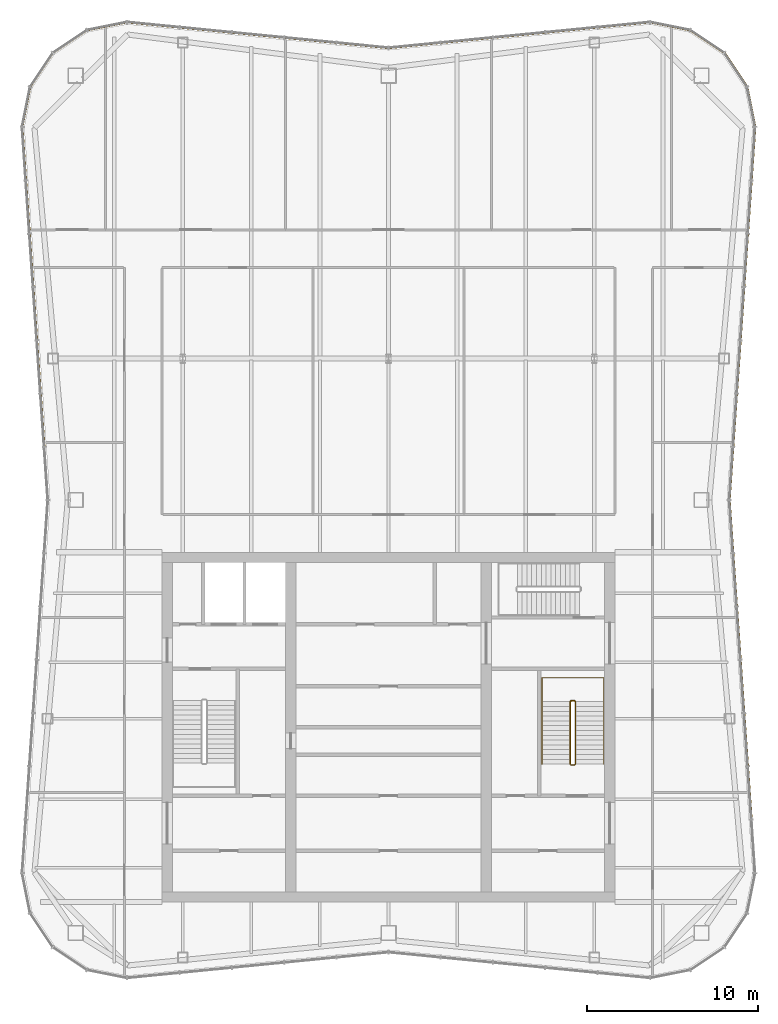
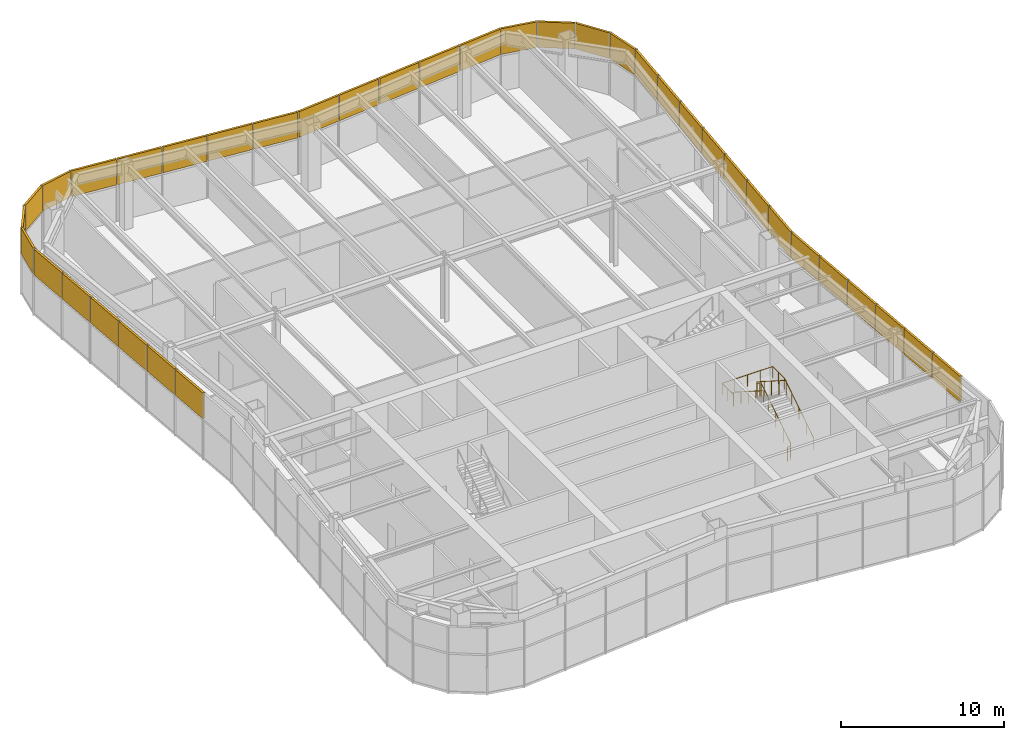
# One storey, part 13 of 13: 37 shading devices, 2 railings, 5 elements without a shape of their own.
"""IFC4 building model written with IfcOpenShell, lengths in metres."""

from ifc_helpers import new_model, si_unit, direction, frame, origin, origin_2d, place, context, subcontext, project, spatial, rectangle, circle, extrude, material, layer, layer_set, type_object, element, aggregate, save


model = new_model("IFC4")

# Units and contexts
model_context = context("Model", 3, precision=1e-05, world=origin(), true_north=direction((0.0, 1.0)))
body_context = subcontext(model_context, "Body", "Model", "MODEL_VIEW")
ifc_project = project(units=[si_unit("LENGTHUNIT", "METRE"), si_unit("AREAUNIT", "SQUARE_METRE"), si_unit("VOLUMEUNIT", "CUBIC_METRE"), si_unit("PLANEANGLEUNIT", "RADIAN"), si_unit("MASSUNIT", "GRAM", prefix="KILO")], contexts=[model_context])

# Site, building, storey
site_placement = place(None, origin())
site = spatial("IfcSite", under=ifc_project, at=site_placement, CompositionType="ELEMENT")
building_placement = place(site_placement, origin())
building = spatial("IfcBuilding", under=site, at=building_placement, Name="Verdant Reach Tower", CompositionType="ELEMENT")
storey_placement = place(building_placement, frame((0.0, 0.0, 354.5)))
storey = spatial("IfcBuildingStorey", under=building, at=storey_placement, Name="L80 Plant", CompositionType="ELEMENT", Elevation=354.5)

# Railings
ifc_material_1 = material(Name="Stainless steel", Category="steel")
railing_type_1 = type_object("IfcRailingType", Name="CO-GUARD", PredefinedType="GUARDRAIL", material=ifc_material_1)
railing_1_placement = place(storey_placement, frame((10.64990234375, 25.800048828125, 0.0)))
element("IfcRailing", 1, at=railing_1_placement, inside=storey, type_object=railing_type_1, Name="L80 Plant ST-2 stair guard 1", PredefinedType="GUARDRAIL", context=body_context, shape_type="SweptSolid", body=[
    extrude(circle(Radius=0.02392578125, at=origin_2d()), frame((0.0, 0.0, 1.076171875), z_axis=(1.0, 0.0, 0.0), x_axis=(0.0, 1.0, 0.0)), (0.0, 0.0, 1.0), 0.2001953125),
    extrude(circle(Radius=0.02392578125, at=origin_2d()), frame((0.2001953125, 0.0, 1.076171875), z_axis=(0.25949872427, 0.26077077684, 0.929870428634), x_axis=(-0.708833529934, 0.705375805398, 0.0)), (0.0, 0.0, 1.0), 0.19189453125),
    extrude(circle(Radius=0.02392578125, at=origin_2d()), frame((0.25, 0.050048828125, 1.25439453125), z_axis=(0.0, 0.843111507901, 0.53773877045), x_axis=(-1.0, 0.0, 0.0)), (0.0, 0.0, 1.0), 4.317138671875),
    extrude(circle(Radius=0.02392578125, at=origin_2d()), frame((0.25, 3.68994140625, 3.576171875), z_axis=(-0.705375805398, 0.708833529934, 0.0), x_axis=(-0.708833529934, -0.705375805398, 0.0)), (0.0, 0.0, 1.0), 0.070556640625),
    extrude(circle(Radius=0.02392578125, at=origin_2d()), frame((0.2001953125, 3.739990234375, 3.576171875), z_axis=(-1.0, 0.0, 0.0), x_axis=(0.0, -1.0, 0.0)), (0.0, 0.0, 1.0), 0.2001953125),
    extrude(circle(Radius=0.02392578125, at=origin_2d()), frame((0.0, 3.739990234375, 3.576171875), z_axis=(-0.25949872427, -0.26077077684, 0.929870428634), x_axis=(0.708833529934, -0.705375805398, 0.0)), (0.0, 0.0, 1.0), 0.19189453125),
    extrude(circle(Radius=0.02392578125, at=origin_2d()), frame((-0.0498046875, 3.68994140625, 3.75439453125), z_axis=(0.0, -0.843111507901, 0.53773877045), x_axis=(1.0, 0.0, 0.0)), (0.0, 0.0, 1.0), 4.317138671875),
    extrude(circle(Radius=0.02099609375, at=origin_2d()), origin(), (0.0, 0.0, 1.0), 1.052001953125),
    extrude(circle(Radius=0.02099609375, at=origin_2d()), frame((0.2001953125, 0.0, 0.0)), (0.0, 0.0, 1.0), 1.052001953125),
    extrude(circle(Radius=0.02099609375, at=origin_2d()), frame((0.25, 0.050048828125, 0.178466796875)), (0.0, 0.0, 1.0), 1.052001953125),
    extrude(circle(Radius=0.02099609375, at=origin_2d()), frame((0.25, 0.9599609375, 0.7587890625)), (0.0, 0.0, 1.0), 1.052001953125),
    extrude(circle(Radius=0.02099609375, at=origin_2d()), frame((0.25, 1.8701171875, 1.33935546875)), (0.0, 0.0, 1.0), 1.052001953125),
    extrude(circle(Radius=0.02099609375, at=origin_2d()), frame((0.25, 2.780029296875, 1.919677734375)), (0.0, 0.0, 1.0), 1.052001953125),
    extrude(circle(Radius=0.02099609375, at=origin_2d()), frame((0.25, 3.68994140625, 2.5)), (0.0, 0.0, 1.0), 1.052001953125),
    extrude(circle(Radius=0.02099609375, at=origin_2d()), frame((0.2001953125, 3.739990234375, 2.5)), (0.0, 0.0, 1.0), 1.052001953125),
    extrude(circle(Radius=0.02099609375, at=origin_2d()), frame((0.0, 3.739990234375, 2.5)), (0.0, 0.0, 1.0), 1.052001953125),
    extrude(circle(Radius=0.02099609375, at=origin_2d()), frame((-0.0498046875, 3.68994140625, 2.678466796875)), (0.0, 0.0, 1.0), 1.052001953125),
    extrude(circle(Radius=0.02099609375, at=origin_2d()), frame((-0.0498046875, 2.780029296875, 3.2587890625)), (0.0, 0.0, 1.0), 1.052001953125),
    extrude(circle(Radius=0.02099609375, at=origin_2d()), frame((-0.0498046875, 1.8701171875, 3.83935546875)), (0.0, 0.0, 1.0), 1.052001953125),
    extrude(circle(Radius=0.02099609375, at=origin_2d()), frame((-0.0498046875, 0.9599609375, 4.419677734375)), (0.0, 0.0, 1.0), 1.052001953125),
    extrude(circle(Radius=0.02099609375, at=origin_2d()), frame((-0.0498046875, 0.050048828125, 5.0)), (0.0, 0.0, 1.0), 1.052001953125),
])
railing_type_2 = type_object("IfcRailingType", Name="CO-HANDRAIL", PredefinedType="HANDRAIL", material=ifc_material_1)
railing_2_placement = place(storey_placement, frame((12.550048828125, 25.85009765625, 0.178466796875)))
element("IfcRailing", 2, at=railing_2_placement, inside=storey, type_object=railing_type_2, Name="L80 Plant ST-2 stair handrail 1", PredefinedType="HANDRAIL", context=body_context, shape_type="SweptSolid", body=[
    extrude(circle(Radius=0.02392578125, at=origin_2d()), frame((0.0, 0.0, 0.8759765625), z_axis=(0.0, 0.843111507901, 0.53773877045), x_axis=(-1.0, 0.0, 0.0)), (0.0, 0.0, 1.0), 4.317138671875),
    extrude(circle(Radius=0.02392578125, at=origin_2d()), frame((0.0, 3.639892578125, 3.197265625), z_axis=(0.0, 1.0, 0.0), x_axis=(-1.0, 0.0, 0.0)), (0.0, 0.0, 1.0), 1.39990234375),
    extrude(circle(Radius=0.02392578125, at=origin_2d()), frame((0.0, 5.039794921875, 3.197265625), z_axis=(-1.0, 0.0, 0.0), x_axis=(0.0, -1.0, 0.0)), (0.0, 0.0, 1.0), 3.60009765625),
    extrude(circle(Radius=0.02392578125, at=origin_2d()), frame((-3.60009765625, 5.039794921875, 3.197265625), z_axis=(0.0, -1.0, 0.0), x_axis=(1.0, 0.0, 0.0)), (0.0, 0.0, 1.0), 1.39990234375),
    extrude(circle(Radius=0.02392578125, at=origin_2d()), frame((-3.60009765625, 3.639892578125, 3.197265625), z_axis=(0.0, 0.0, 1.0), x_axis=(1.0, 0.0, 0.0)), (0.0, 0.0, 1.0), 0.178466796875),
    extrude(circle(Radius=0.02392578125, at=origin_2d()), frame((-3.60009765625, 3.639892578125, 3.3759765625), z_axis=(0.0, -0.843111507901, 0.53773877045), x_axis=(1.0, 0.0, 0.0)), (0.0, 0.0, 1.0), 4.317138671875),
    extrude(circle(Radius=0.02099609375, at=origin_2d()), origin(), (0.0, 0.0, 1.0), 0.851806640625),
    extrude(circle(Radius=0.02099609375, at=origin_2d()), frame((0.0, 0.909912109375, 0.580322265625)), (0.0, 0.0, 1.0), 0.851806640625),
    extrude(circle(Radius=0.02099609375, at=origin_2d()), frame((0.0, 1.81982421875, 1.16064453125)), (0.0, 0.0, 1.0), 0.851806640625),
    extrude(circle(Radius=0.02099609375, at=origin_2d()), frame((0.0, 2.72998046875, 1.7412109375)), (0.0, 0.0, 1.0), 0.851806640625),
    extrude(circle(Radius=0.02099609375, at=origin_2d()), frame((0.0, 3.639892578125, 2.321533203125)), (0.0, 0.0, 1.0), 0.851806640625),
    extrude(circle(Radius=0.02099609375, at=origin_2d()), frame((0.0, 4.33984375, 2.321533203125)), (0.0, 0.0, 1.0), 0.851806640625),
    extrude(circle(Radius=0.02099609375, at=origin_2d()), frame((0.0, 5.039794921875, 2.321533203125)), (0.0, 0.0, 1.0), 0.851806640625),
    extrude(circle(Radius=0.02099609375, at=origin_2d()), frame((-0.89990234375, 5.039794921875, 2.321533203125)), (0.0, 0.0, 1.0), 0.851806640625),
    extrude(circle(Radius=0.02099609375, at=origin_2d()), frame((-1.800048828125, 5.039794921875, 2.321533203125)), (0.0, 0.0, 1.0), 0.851806640625),
    extrude(circle(Radius=0.02099609375, at=origin_2d()), frame((-2.7001953125, 5.039794921875, 2.321533203125)), (0.0, 0.0, 1.0), 0.851806640625),
    extrude(circle(Radius=0.02099609375, at=origin_2d()), frame((-3.60009765625, 5.039794921875, 2.321533203125)), (0.0, 0.0, 1.0), 0.851806640625),
    extrude(circle(Radius=0.02099609375, at=origin_2d()), frame((-3.60009765625, 4.33984375, 2.321533203125)), (0.0, 0.0, 1.0), 0.851806640625),
    extrude(circle(Radius=0.02099609375, at=origin_2d()), frame((-3.60009765625, 3.639892578125, 2.321533203125)), (0.0, 0.0, 1.0), 0.851806640625),
    extrude(circle(Radius=0.02099609375, at=origin_2d()), frame((-3.60009765625, 3.639892578125, 2.5)), (0.0, 0.0, 1.0), 0.851806640625),
    extrude(circle(Radius=0.02099609375, at=origin_2d()), frame((-3.60009765625, 2.72998046875, 3.080322265625)), (0.0, 0.0, 1.0), 0.851806640625),
    extrude(circle(Radius=0.02099609375, at=origin_2d()), frame((-3.60009765625, 1.81982421875, 3.66064453125)), (0.0, 0.0, 1.0), 0.851806640625),
    extrude(circle(Radius=0.02099609375, at=origin_2d()), frame((-3.60009765625, 0.909912109375, 4.2412109375)), (0.0, 0.0, 1.0), 0.851806640625),
    extrude(circle(Radius=0.02099609375, at=origin_2d()), frame((-3.60009765625, 0.0, 4.821533203125)), (0.0, 0.0, 1.0), 0.851806640625),
])

# Curtain wall, shading devices
ifc_material_2 = material(Name="Anodised aluminium", Category="aluminium")
curtain_wall_type = type_object("IfcCurtainWallType", Name="EN-CW SYSTEM PLANT", PredefinedType="NOTDEFINED", material=ifc_material_2)
curtain_wall_1_placement = place(storey_placement, origin())
curtain_wall_1 = element("IfcCurtainWall", 3, at=curtain_wall_1_placement, inside=storey, type_object=curtain_wall_type, Name="Curtain wall east, L80", PredefinedType="NOTDEFINED")
ifc_material_3 = material(Name="Bronze anodised aluminium louvre", Category="aluminium")
ifc_layer = layer(ifc_material_3, 0.14990234375)
ifc_layer_set = layer_set([ifc_layer], Name="EN-LOUVRE")
shading_device_type = type_object("IfcShadingDeviceType", Name="EN-LOUVRE", PredefinedType="USERDEFINED", material=ifc_layer_set)
shading_device_1_placement = place(storey_placement, frame((21.04736328125, 24.1689453125, 2.72509765625), z_axis=(0.0, 0.0, 1.0), x_axis=(-0.068802091615, 0.997630328423, 0.0)))
shading_device_1 = element("IfcShadingDevice", 4, at=shading_device_1_placement, type_object=shading_device_type, Name="Louvre bank east face part 1 2, L80", ObjectType="LOUVRE", PredefinedType="USERDEFINED", context=body_context, shape_type="SweptSolid", body=[
    extrude(rectangle(XDim=3.03857421875, YDim=0.14990234375, at=origin_2d()), origin(), (0.0, 0.0, 1.0), 1.925048828125),
])
shading_device_2_placement = place(storey_placement, frame((20.8330078125, 27.276123046875, 2.72509765625), z_axis=(0.0, 0.0, 1.0), x_axis=(-0.068802091615, 0.997630328423, 0.0)))
shading_device_2 = element("IfcShadingDevice", 5, at=shading_device_2_placement, type_object=shading_device_type, Name="Louvre bank east face part 1 3, L80", ObjectType="LOUVRE", PredefinedType="USERDEFINED", context=body_context, shape_type="SweptSolid", body=[
    extrude(rectangle(XDim=3.03857421875, YDim=0.14990234375, at=origin_2d()), origin(), (0.0, 0.0, 1.0), 1.925048828125),
])
shading_device_3_placement = place(storey_placement, frame((20.61865234375, 30.38330078125, 2.72509765625), z_axis=(0.0, 0.0, 1.0), x_axis=(-0.068802091615, 0.997630328423, 0.0)))
shading_device_3 = element("IfcShadingDevice", 6, at=shading_device_3_placement, type_object=shading_device_type, Name="Louvre bank east face part 1 4, L80", ObjectType="LOUVRE", PredefinedType="USERDEFINED", context=body_context, shape_type="SweptSolid", body=[
    extrude(rectangle(XDim=3.03857421875, YDim=0.14990234375, at=origin_2d()), origin(), (0.0, 0.0, 1.0), 1.925048828125),
])
shading_device_4_placement = place(storey_placement, frame((20.404541015625, 33.490234375, 2.72509765625), z_axis=(0.0, 0.0, 1.0), x_axis=(-0.068802091615, 0.997630328423, 0.0)))
shading_device_4 = element("IfcShadingDevice", 7, at=shading_device_4_placement, type_object=shading_device_type, Name="Louvre bank east face part 1 5, L80", ObjectType="LOUVRE", PredefinedType="USERDEFINED", context=body_context, shape_type="SweptSolid", body=[
    extrude(rectangle(XDim=3.03857421875, YDim=0.14990234375, at=origin_2d()), origin(), (0.0, 0.0, 1.0), 1.925048828125),
])
shading_device_5_placement = place(storey_placement, frame((20.190185546875, 36.597412109375, 2.72509765625), z_axis=(0.0, 0.0, 1.0), x_axis=(-0.068802091615, 0.997630328423, 0.0)))
shading_device_5 = element("IfcShadingDevice", 8, at=shading_device_5_placement, type_object=shading_device_type, Name="Louvre bank east face part 1 6, L80", ObjectType="LOUVRE", PredefinedType="USERDEFINED", context=body_context, shape_type="SweptSolid", body=[
    extrude(rectangle(XDim=3.03857421875, YDim=0.14990234375, at=origin_2d()), origin(), (0.0, 0.0, 1.0), 1.925048828125),
])
shading_device_6_placement = place(storey_placement, frame((19.97607421875, 39.700439453125, 2.72509765625), z_axis=(0.0, 0.0, 1.0), x_axis=(-0.068892655483, 0.997624078509, 0.0)))
shading_device_6 = element("IfcShadingDevice", 9, at=shading_device_6_placement, type_object=shading_device_type, Name="Louvre bank east face part 1 7, L80", ObjectType="LOUVRE", PredefinedType="USERDEFINED", context=body_context, shape_type="SweptSolid", body=[
    extrude(rectangle(XDim=3.0302734375, YDim=0.14990234375, at=origin_2d()), origin(), (0.0, 0.0, 1.0), 1.925048828125),
])
shading_device_7_placement = place(storey_placement, frame((19.97607421875, 42.799560546875, 2.72509765625), z_axis=(0.0, 0.0, 1.0), x_axis=(0.068892655483, 0.997624078509, 0.0)))
shading_device_7 = element("IfcShadingDevice", 10, at=shading_device_7_placement, type_object=shading_device_type, Name="Louvre bank east face part 2 1, L80", ObjectType="LOUVRE", PredefinedType="USERDEFINED", context=body_context, shape_type="SweptSolid", body=[
    extrude(rectangle(XDim=3.0302734375, YDim=0.14990234375, at=origin_2d()), origin(), (0.0, 0.0, 1.0), 1.925048828125),
])
shading_device_8_placement = place(storey_placement, frame((20.190185546875, 45.902587890625, 2.72509765625), z_axis=(0.0, 0.0, 1.0), x_axis=(0.068802091615, 0.997630328423, 0.0)))
shading_device_8 = element("IfcShadingDevice", 11, at=shading_device_8_placement, type_object=shading_device_type, Name="Louvre bank east face part 2 2, L80", ObjectType="LOUVRE", PredefinedType="USERDEFINED", context=body_context, shape_type="SweptSolid", body=[
    extrude(rectangle(XDim=3.03857421875, YDim=0.14990234375, at=origin_2d()), origin(), (0.0, 0.0, 1.0), 1.925048828125),
])
shading_device_9_placement = place(storey_placement, frame((20.404541015625, 49.009765625, 2.72509765625), z_axis=(0.0, 0.0, 1.0), x_axis=(0.068802091615, 0.997630328423, 0.0)))
shading_device_9 = element("IfcShadingDevice", 12, at=shading_device_9_placement, type_object=shading_device_type, Name="Louvre bank east face part 2 3, L80", ObjectType="LOUVRE", PredefinedType="USERDEFINED", context=body_context, shape_type="SweptSolid", body=[
    extrude(rectangle(XDim=3.03857421875, YDim=0.14990234375, at=origin_2d()), origin(), (0.0, 0.0, 1.0), 1.925048828125),
])
shading_device_10_placement = place(storey_placement, frame((20.61865234375, 52.11669921875, 2.72509765625), z_axis=(0.0, 0.0, 1.0), x_axis=(0.068802091615, 0.997630328423, 0.0)))
shading_device_10 = element("IfcShadingDevice", 13, at=shading_device_10_placement, type_object=shading_device_type, Name="Louvre bank east face part 2 4, L80", ObjectType="LOUVRE", PredefinedType="USERDEFINED", context=body_context, shape_type="SweptSolid", body=[
    extrude(rectangle(XDim=3.03857421875, YDim=0.14990234375, at=origin_2d()), origin(), (0.0, 0.0, 1.0), 1.925048828125),
])
shading_device_11_placement = place(storey_placement, frame((20.8330078125, 55.223876953125, 2.72509765625), z_axis=(0.0, 0.0, 1.0), x_axis=(0.068802091615, 0.997630328423, 0.0)))
shading_device_11 = element("IfcShadingDevice", 14, at=shading_device_11_placement, type_object=shading_device_type, Name="Louvre bank east face part 2 5, L80", ObjectType="LOUVRE", PredefinedType="USERDEFINED", context=body_context, shape_type="SweptSolid", body=[
    extrude(rectangle(XDim=3.03857421875, YDim=0.14990234375, at=origin_2d()), origin(), (0.0, 0.0, 1.0), 1.925048828125),
])
shading_device_12_placement = place(storey_placement, frame((21.04736328125, 58.3310546875, 2.72509765625), z_axis=(0.0, 0.0, 1.0), x_axis=(0.068802091615, 0.997630328423, 0.0)))
shading_device_12 = element("IfcShadingDevice", 15, at=shading_device_12_placement, type_object=shading_device_type, Name="Louvre bank east face part 2 6, L80", ObjectType="LOUVRE", PredefinedType="USERDEFINED", context=body_context, shape_type="SweptSolid", body=[
    extrude(rectangle(XDim=3.03857421875, YDim=0.14990234375, at=origin_2d()), origin(), (0.0, 0.0, 1.0), 1.925048828125),
])
shading_device_13_placement = place(storey_placement, frame((21.261474609375, 61.446044921875, 2.72509765625), z_axis=(0.0, 0.0, 1.0), x_axis=(0.068469163133, 0.997653233193, 0.0)))
shading_device_13 = element("IfcShadingDevice", 16, at=shading_device_13_placement, type_object=shading_device_type, Name="Louvre bank east face part 2 7, L80", ObjectType="LOUVRE", PredefinedType="USERDEFINED", context=body_context, shape_type="SweptSolid", body=[
    extrude(rectangle(XDim=3.05419921875, YDim=0.14990234375, at=origin_2d()), origin(), (0.0, 0.0, 1.0), 1.925048828125),
])
aggregate(curtain_wall_1, [shading_device_1, shading_device_2, shading_device_3, shading_device_4, shading_device_5, shading_device_6, shading_device_7, shading_device_8, shading_device_9, shading_device_10, shading_device_11, shading_device_12, shading_device_13])

curtain_wall_2_placement = place(storey_placement, origin())
curtain_wall_2 = element("IfcCurtainWall", 17, at=curtain_wall_2_placement, inside=storey, type_object=curtain_wall_type, Name="Curtain wall north-east corner, L80", PredefinedType="NOTDEFINED")
shading_device_14_placement = place(storey_placement, frame((21.135986328125, 64.174560546875, 2.72509765625), z_axis=(0.0, 0.0, 1.0), x_axis=(-0.195592962334, 0.980685165119, 0.0)))
shading_device_14 = element("IfcShadingDevice", 18, at=shading_device_14_placement, type_object=shading_device_type, Name="Louvre bank north-east corner 1, L80", ObjectType="LOUVRE", PredefinedType="USERDEFINED", context=body_context, shape_type="SweptSolid", body=[
    extrude(rectangle(XDim=2.303955078125, YDim=0.14990234375, at=origin_2d()), origin(), (0.0, 0.0, 1.0), 1.925048828125),
])
shading_device_15_placement = place(storey_placement, frame((20.239990234375, 66.334228515625, 2.72509765625), z_axis=(0.0, 0.0, 1.0), x_axis=(-0.555596466265, 0.83145208321, 0.0)))
shading_device_15 = element("IfcShadingDevice", 19, at=shading_device_15_placement, type_object=shading_device_type, Name="Louvre bank north-east corner 2, L80", ObjectType="LOUVRE", PredefinedType="USERDEFINED", context=body_context, shape_type="SweptSolid", body=[
    extrude(rectangle(XDim=2.3115234375, YDim=0.14990234375, at=origin_2d()), origin(), (0.0, 0.0, 1.0), 1.925048828125),
])
shading_device_16_placement = place(storey_placement, frame((18.584228515625, 67.989990234375, 2.72509765625), z_axis=(0.0, 0.0, 1.0), x_axis=(-0.83145208321, 0.555596466265, 0.0)))
shading_device_16 = element("IfcShadingDevice", 20, at=shading_device_16_placement, type_object=shading_device_type, Name="Louvre bank north-east corner 3, L80", ObjectType="LOUVRE", PredefinedType="USERDEFINED", context=body_context, shape_type="SweptSolid", body=[
    extrude(rectangle(XDim=2.3115234375, YDim=0.14990234375, at=origin_2d()), origin(), (0.0, 0.0, 1.0), 1.925048828125),
])
shading_device_17_placement = place(storey_placement, frame((16.423828125, 68.885986328125, 2.72509765625), z_axis=(0.0, 0.0, 1.0), x_axis=(-0.980705120874, 0.195492879387, 0.0)))
shading_device_17 = element("IfcShadingDevice", 21, at=shading_device_17_placement, type_object=shading_device_type, Name="Louvre bank north-east corner 4, L80", ObjectType="LOUVRE", PredefinedType="USERDEFINED", context=body_context, shape_type="SweptSolid", body=[
    extrude(rectangle(XDim=2.3056640625, YDim=0.14990234375, at=origin_2d()), origin(), (0.0, 0.0, 1.0), 1.925048828125),
])
aggregate(curtain_wall_2, [shading_device_14, shading_device_15, shading_device_16, shading_device_17])

curtain_wall_3_placement = place(storey_placement, origin())
curtain_wall_3 = element("IfcCurtainWall", 22, at=curtain_wall_3_placement, inside=storey, type_object=curtain_wall_type, Name="Curtain wall north, L80", PredefinedType="NOTDEFINED")
shading_device_18_placement = place(storey_placement, frame((13.72216796875, 68.96875, 2.72509765625), z_axis=(0.0, 0.0, 1.0), x_axis=(-0.995238191716, -0.097472774402, 0.0)))
shading_device_18 = element("IfcShadingDevice", 23, at=shading_device_18_placement, type_object=shading_device_type, Name="Louvre bank north face part 1 1, L80", ObjectType="LOUVRE", PredefinedType="USERDEFINED", context=body_context, shape_type="SweptSolid", body=[
    extrude(rectangle(XDim=3.006103515625, YDim=0.14990234375, at=origin_2d()), origin(), (0.0, 0.0, 1.0), 1.925048828125),
])
shading_device_19_placement = place(storey_placement, frame((10.663330078125, 68.66845703125, 2.72509765625), z_axis=(0.0, 0.0, 1.0), x_axis=(-0.995197410875, -0.09788826992, 0.0)))
shading_device_19 = element("IfcShadingDevice", 24, at=shading_device_19_placement, type_object=shading_device_type, Name="Louvre bank north face part 1 2, L80", ObjectType="LOUVRE", PredefinedType="USERDEFINED", context=body_context, shape_type="SweptSolid", body=[
    extrude(rectangle(XDim=2.98876953125, YDim=0.14990234375, at=origin_2d()), origin(), (0.0, 0.0, 1.0), 1.925048828125),
])
shading_device_20_placement = place(storey_placement, frame((7.61328125, 68.368408203125, 2.72509765625), z_axis=(0.0, 0.0, 1.0), x_axis=(-0.995197410875, -0.09788826992, 0.0)))
shading_device_20 = element("IfcShadingDevice", 25, at=shading_device_20_placement, type_object=shading_device_type, Name="Louvre bank north face part 1 3, L80", ObjectType="LOUVRE", PredefinedType="USERDEFINED", context=body_context, shape_type="SweptSolid", body=[
    extrude(rectangle(XDim=2.98876953125, YDim=0.14990234375, at=origin_2d()), origin(), (0.0, 0.0, 1.0), 1.925048828125),
])
shading_device_21_placement = place(storey_placement, frame((4.563232421875, 68.068359375, 2.72509765625), z_axis=(0.0, 0.0, 1.0), x_axis=(-0.995197410875, -0.09788826992, 0.0)))
shading_device_21 = element("IfcShadingDevice", 26, at=shading_device_21_placement, type_object=shading_device_type, Name="Louvre bank north face part 1 4, L80", ObjectType="LOUVRE", PredefinedType="USERDEFINED", context=body_context, shape_type="SweptSolid", body=[
    extrude(rectangle(XDim=2.98876953125, YDim=0.14990234375, at=origin_2d()), origin(), (0.0, 0.0, 1.0), 1.925048828125),
])
shading_device_22_placement = place(storey_placement, frame((1.519287109375, 67.768798828125, 2.72509765625), z_axis=(0.0, 0.0, 1.0), x_axis=(-0.995179069607, -0.098074560493, 0.0)))
shading_device_22 = element("IfcShadingDevice", 27, at=shading_device_22_placement, type_object=shading_device_type, Name="Louvre bank north face part 1 5, L80", ObjectType="LOUVRE", PredefinedType="USERDEFINED", context=body_context, shape_type="SweptSolid", body=[
    extrude(rectangle(XDim=2.97705078125, YDim=0.14990234375, at=origin_2d()), origin(), (0.0, 0.0, 1.0), 1.925048828125),
])
shading_device_23_placement = place(storey_placement, frame((-1.519287109375, 67.768798828125, 2.72509765625), z_axis=(0.0, 0.0, 1.0), x_axis=(-0.995179069607, 0.098074560493, 0.0)))
shading_device_23 = element("IfcShadingDevice", 28, at=shading_device_23_placement, type_object=shading_device_type, Name="Louvre bank north face part 2 1, L80", ObjectType="LOUVRE", PredefinedType="USERDEFINED", context=body_context, shape_type="SweptSolid", body=[
    extrude(rectangle(XDim=2.97705078125, YDim=0.14990234375, at=origin_2d()), origin(), (0.0, 0.0, 1.0), 1.925048828125),
])
shading_device_24_placement = place(storey_placement, frame((-4.563232421875, 68.068359375, 2.72509765625), z_axis=(0.0, 0.0, 1.0), x_axis=(-0.995197410875, 0.09788826992, 0.0)))
shading_device_24 = element("IfcShadingDevice", 29, at=shading_device_24_placement, type_object=shading_device_type, Name="Louvre bank north face part 2 2, L80", ObjectType="LOUVRE", PredefinedType="USERDEFINED", context=body_context, shape_type="SweptSolid", body=[
    extrude(rectangle(XDim=2.98876953125, YDim=0.14990234375, at=origin_2d()), origin(), (0.0, 0.0, 1.0), 1.925048828125),
])
shading_device_25_placement = place(storey_placement, frame((-7.61328125, 68.368408203125, 2.72509765625), z_axis=(0.0, 0.0, 1.0), x_axis=(-0.995197410875, 0.09788826992, 0.0)))
shading_device_25 = element("IfcShadingDevice", 30, at=shading_device_25_placement, type_object=shading_device_type, Name="Louvre bank north face part 2 3, L80", ObjectType="LOUVRE", PredefinedType="USERDEFINED", context=body_context, shape_type="SweptSolid", body=[
    extrude(rectangle(XDim=2.98876953125, YDim=0.14990234375, at=origin_2d()), origin(), (0.0, 0.0, 1.0), 1.925048828125),
])
shading_device_26_placement = place(storey_placement, frame((-10.663330078125, 68.66845703125, 2.72509765625), z_axis=(0.0, 0.0, 1.0), x_axis=(-0.995197410875, 0.09788826992, 0.0)))
shading_device_26 = element("IfcShadingDevice", 31, at=shading_device_26_placement, type_object=shading_device_type, Name="Louvre bank north face part 2 4, L80", ObjectType="LOUVRE", PredefinedType="USERDEFINED", context=body_context, shape_type="SweptSolid", body=[
    extrude(rectangle(XDim=2.98876953125, YDim=0.14990234375, at=origin_2d()), origin(), (0.0, 0.0, 1.0), 1.925048828125),
])
shading_device_27_placement = place(storey_placement, frame((-13.72216796875, 68.96875, 2.72509765625), z_axis=(0.0, 0.0, 1.0), x_axis=(-0.995238191716, 0.097472774402, 0.0)))
shading_device_27 = element("IfcShadingDevice", 32, at=shading_device_27_placement, type_object=shading_device_type, Name="Louvre bank north face part 2 5, L80", ObjectType="LOUVRE", PredefinedType="USERDEFINED", context=body_context, shape_type="SweptSolid", body=[
    extrude(rectangle(XDim=3.006103515625, YDim=0.14990234375, at=origin_2d()), origin(), (0.0, 0.0, 1.0), 1.925048828125),
])
aggregate(curtain_wall_3, [shading_device_18, shading_device_19, shading_device_20, shading_device_21, shading_device_22, shading_device_23, shading_device_24, shading_device_25, shading_device_26, shading_device_27])

curtain_wall_4_placement = place(storey_placement, origin())
curtain_wall_4 = element("IfcCurtainWall", 33, at=curtain_wall_4_placement, inside=storey, type_object=curtain_wall_type, Name="Curtain wall north-west corner, L80", PredefinedType="NOTDEFINED")
shading_device_28_placement = place(storey_placement, frame((-16.423828125, 68.885986328125, 2.72509765625), z_axis=(0.0, 0.0, 1.0), x_axis=(-0.980705120874, -0.195492879387, 0.0)))
shading_device_28 = element("IfcShadingDevice", 34, at=shading_device_28_placement, type_object=shading_device_type, Name="Louvre bank north-west corner 1, L80", ObjectType="LOUVRE", PredefinedType="USERDEFINED", context=body_context, shape_type="SweptSolid", body=[
    extrude(rectangle(XDim=2.3056640625, YDim=0.14990234375, at=origin_2d()), origin(), (0.0, 0.0, 1.0), 1.925048828125),
])
shading_device_29_placement = place(storey_placement, frame((-18.584228515625, 67.989990234375, 2.72509765625), z_axis=(0.0, 0.0, 1.0), x_axis=(-0.83145208321, -0.555596466265, 0.0)))
shading_device_29 = element("IfcShadingDevice", 35, at=shading_device_29_placement, type_object=shading_device_type, Name="Louvre bank north-west corner 2, L80", ObjectType="LOUVRE", PredefinedType="USERDEFINED", context=body_context, shape_type="SweptSolid", body=[
    extrude(rectangle(XDim=2.3115234375, YDim=0.14990234375, at=origin_2d()), origin(), (0.0, 0.0, 1.0), 1.925048828125),
])
shading_device_30_placement = place(storey_placement, frame((-20.239990234375, 66.334228515625, 2.72509765625), z_axis=(0.0, 0.0, 1.0), x_axis=(-0.555596466265, -0.83145208321, 0.0)))
shading_device_30 = element("IfcShadingDevice", 36, at=shading_device_30_placement, type_object=shading_device_type, Name="Louvre bank north-west corner 3, L80", ObjectType="LOUVRE", PredefinedType="USERDEFINED", context=body_context, shape_type="SweptSolid", body=[
    extrude(rectangle(XDim=2.3115234375, YDim=0.14990234375, at=origin_2d()), origin(), (0.0, 0.0, 1.0), 1.925048828125),
])
shading_device_31_placement = place(storey_placement, frame((-21.135986328125, 64.174560546875, 2.72509765625), z_axis=(0.0, 0.0, 1.0), x_axis=(-0.195592962334, -0.980685165119, 0.0)))
shading_device_31 = element("IfcShadingDevice", 37, at=shading_device_31_placement, type_object=shading_device_type, Name="Louvre bank north-west corner 4, L80", ObjectType="LOUVRE", PredefinedType="USERDEFINED", context=body_context, shape_type="SweptSolid", body=[
    extrude(rectangle(XDim=2.303955078125, YDim=0.14990234375, at=origin_2d()), origin(), (0.0, 0.0, 1.0), 1.925048828125),
])
aggregate(curtain_wall_4, [shading_device_28, shading_device_29, shading_device_30, shading_device_31])

curtain_wall_5_placement = place(storey_placement, origin())
curtain_wall_5 = element("IfcCurtainWall", 38, at=curtain_wall_5_placement, inside=storey, type_object=curtain_wall_type, Name="Curtain wall west, L80", PredefinedType="NOTDEFINED")
shading_device_32_placement = place(storey_placement, frame((-21.261474609375, 61.446044921875, 2.72509765625), z_axis=(0.0, 0.0, 1.0), x_axis=(0.068469163133, -0.997653233193, 0.0)))
shading_device_32 = element("IfcShadingDevice", 39, at=shading_device_32_placement, type_object=shading_device_type, Name="Louvre bank west face part 1 1, L80", ObjectType="LOUVRE", PredefinedType="USERDEFINED", context=body_context, shape_type="SweptSolid", body=[
    extrude(rectangle(XDim=3.05419921875, YDim=0.14990234375, at=origin_2d()), origin(), (0.0, 0.0, 1.0), 1.925048828125),
])
shading_device_33_placement = place(storey_placement, frame((-21.04736328125, 58.3310546875, 2.72509765625), z_axis=(0.0, 0.0, 1.0), x_axis=(0.068802091615, -0.997630328423, 0.0)))
shading_device_33 = element("IfcShadingDevice", 40, at=shading_device_33_placement, type_object=shading_device_type, Name="Louvre bank west face part 1 2, L80", ObjectType="LOUVRE", PredefinedType="USERDEFINED", context=body_context, shape_type="SweptSolid", body=[
    extrude(rectangle(XDim=3.03857421875, YDim=0.14990234375, at=origin_2d()), origin(), (0.0, 0.0, 1.0), 1.925048828125),
])
shading_device_34_placement = place(storey_placement, frame((-20.8330078125, 55.223876953125, 2.72509765625), z_axis=(0.0, 0.0, 1.0), x_axis=(0.068802091615, -0.997630328423, 0.0)))
shading_device_34 = element("IfcShadingDevice", 41, at=shading_device_34_placement, type_object=shading_device_type, Name="Louvre bank west face part 1 3, L80", ObjectType="LOUVRE", PredefinedType="USERDEFINED", context=body_context, shape_type="SweptSolid", body=[
    extrude(rectangle(XDim=3.03857421875, YDim=0.14990234375, at=origin_2d()), origin(), (0.0, 0.0, 1.0), 1.925048828125),
])
shading_device_35_placement = place(storey_placement, frame((-20.61865234375, 52.11669921875, 2.72509765625), z_axis=(0.0, 0.0, 1.0), x_axis=(0.068802091615, -0.997630328423, 0.0)))
shading_device_35 = element("IfcShadingDevice", 42, at=shading_device_35_placement, type_object=shading_device_type, Name="Louvre bank west face part 1 4, L80", ObjectType="LOUVRE", PredefinedType="USERDEFINED", context=body_context, shape_type="SweptSolid", body=[
    extrude(rectangle(XDim=3.03857421875, YDim=0.14990234375, at=origin_2d()), origin(), (0.0, 0.0, 1.0), 1.925048828125),
])
shading_device_36_placement = place(storey_placement, frame((-20.404541015625, 49.009765625, 2.72509765625), z_axis=(0.0, 0.0, 1.0), x_axis=(0.068802091615, -0.997630328423, 0.0)))
shading_device_36 = element("IfcShadingDevice", 43, at=shading_device_36_placement, type_object=shading_device_type, Name="Louvre bank west face part 1 5, L80", ObjectType="LOUVRE", PredefinedType="USERDEFINED", context=body_context, shape_type="SweptSolid", body=[
    extrude(rectangle(XDim=3.03857421875, YDim=0.14990234375, at=origin_2d()), origin(), (0.0, 0.0, 1.0), 1.925048828125),
])
shading_device_37_placement = place(storey_placement, frame((-20.190185546875, 45.902587890625, 2.72509765625), z_axis=(0.0, 0.0, 1.0), x_axis=(0.068802091615, -0.997630328423, 0.0)))
shading_device_37 = element("IfcShadingDevice", 44, at=shading_device_37_placement, type_object=shading_device_type, Name="Louvre bank west face part 1 6, L80", ObjectType="LOUVRE", PredefinedType="USERDEFINED", context=body_context, shape_type="SweptSolid", body=[
    extrude(rectangle(XDim=3.03857421875, YDim=0.14990234375, at=origin_2d()), origin(), (0.0, 0.0, 1.0), 1.925048828125),
])
aggregate(curtain_wall_5, [shading_device_32, shading_device_33, shading_device_34, shading_device_35, shading_device_36, shading_device_37])

save(model, "model.ifc")
